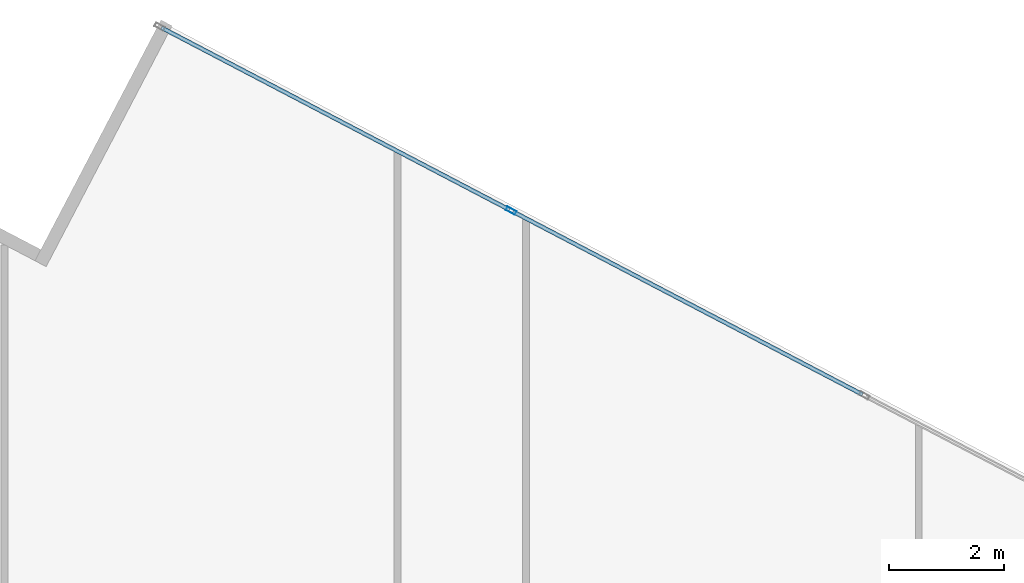
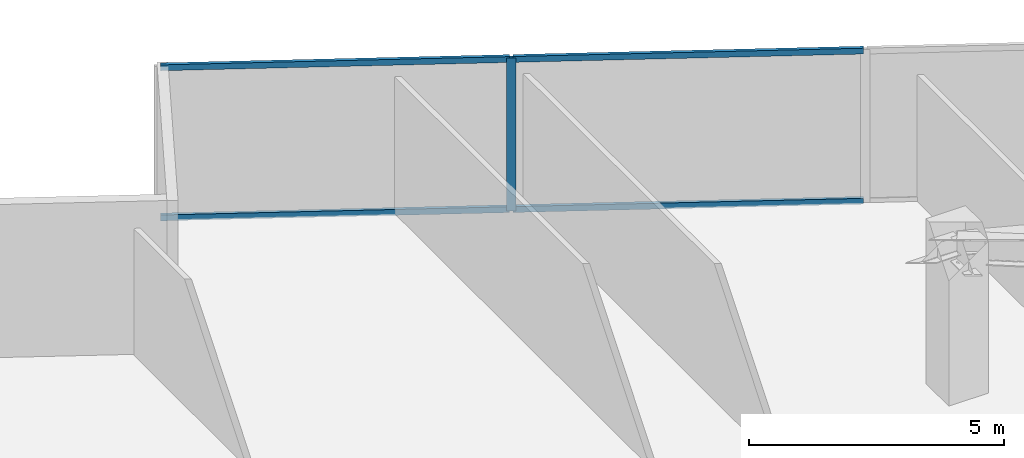
# One storey, part 17 of 27: 5 members, 1 element without a shape of its own.
"""IFC4 building model written with IfcOpenShell, lengths in metres."""

import ifcopenshell
import ifcopenshell.guid

model = None  # the IFC model being written
_history = None  # IfcOwnerHistory: only IFC2X3 demands one
_inside = {}  # id of a spatial element -> (the spatial element, [elements in it])
_under = {}  # id of a project, library or spatial element -> (it, [spatial elements below it])
_declared = {}  # id of a project -> (the project, [libraries it declares])
_typed = {}  # id of a type object -> (the type object, [elements of that type])
_made_of = {}  # id of a material, layer set ... -> (it, [elements and type objects made of it])


def new_model(schema):
    """Start an empty IFC model of exactly this schema.

    Asked for "IFC4X3", IfcOpenShell would pick the latest addendum, in which some entities
    have other attributes; the version numbers below select the first issue.
    IFC2X3 requires an IfcOwnerHistory on every rooted entity: one is made here for all.
    """
    global model, _history
    if schema == "IFC4X3":
        model = ifcopenshell.file(schema_version=(4, 3, 0, 0))
    else:
        model = ifcopenshell.file(schema=schema)
    _inside.clear()
    _under.clear()
    _declared.clear()
    _typed.clear()
    _made_of.clear()
    _history = None
    if model.schema == "IFC2X3":
        org = make("IfcOrganization", Name="unknown")
        user = make(
            "IfcPersonAndOrganization",
            ThePerson=make("IfcPerson", FamilyName="unknown"),
            TheOrganization=org,
        )
        app = make(
            "IfcApplication",
            ApplicationDeveloper=org,
            Version="unknown",
            ApplicationFullName="unknown",
            ApplicationIdentifier="unknown",
        )
        _history = make(
            "IfcOwnerHistory",
            OwningUser=user,
            OwningApplication=app,
            ChangeAction="ADDED",
            CreationDate=0,
        )
    return model


def make(cls, **values):
    """One entity of the class cls with the attributes given. An attribute that is None is left unset."""
    return model.create_entity(
        cls, **{name: value for name, value in values.items() if value is not None}
    )


def rooted(cls, **values):
    """An entity with a GlobalId (a new one), such as an element, a storey or a relation."""
    return make(cls, GlobalId=ifcopenshell.guid.new(), OwnerHistory=_history, **values)


def si_unit(unit_type, name, prefix=None):
    """IfcSIUnit, for example si_unit("LENGTHUNIT", "METRE", prefix="MILLI")."""
    return make("IfcSIUnit", UnitType=unit_type, Prefix=prefix, Name=name)


def assignment(units):
    """IfcUnitAssignment: the units of a project."""
    return None if units is None else make("IfcUnitAssignment", Units=units)


def point(xyz):
    """IfcCartesianPoint."""
    return None if xyz is None else make("IfcCartesianPoint", Coordinates=xyz)


def direction(xyz):
    """IfcDirection."""
    return None if xyz is None else make("IfcDirection", DirectionRatios=xyz)


def frame(location, z_axis=None, x_axis=None):
    """IfcAxis2Placement3D, a coordinate frame: its origin and axes. An axis left out is left unset."""
    return make(
        "IfcAxis2Placement3D",
        Location=point(location),
        Axis=direction(z_axis),
        RefDirection=direction(x_axis),
    )


def frame_2d(location, x_axis=None):
    """IfcAxis2Placement2D, a coordinate frame in the plane: its origin and x axis."""
    return make(
        "IfcAxis2Placement2D", Location=point(location), RefDirection=direction(x_axis)
    )


def origin():
    """The frame at (0, 0, 0) with its axes left unset."""
    return frame((0.0, 0.0, 0.0))


def origin_2d():
    """The frame at (0, 0) in the plane with its x axis left unset."""
    return frame_2d((0.0, 0.0))


def place(relative_to, where):
    """IfcLocalPlacement: puts the frame where relative to a parent placement (None: the world)."""
    return make(
        "IfcLocalPlacement", PlacementRelTo=relative_to, RelativePlacement=where
    )


def context(
    kind, dimensions, precision=None, world=None, true_north=None, identifier=None
):
    """IfcGeometricRepresentationContext, for example the 3D "Model" context."""
    return make(
        "IfcGeometricRepresentationContext",
        ContextIdentifier=identifier,
        ContextType=kind,
        CoordinateSpaceDimension=dimensions,
        Precision=precision,
        WorldCoordinateSystem=world,
        TrueNorth=true_north,
    )


def subcontext(parent, identifier, kind, view, scale=None):
    """IfcGeometricRepresentationSubContext, for example "Body" below "Model"."""
    return make(
        "IfcGeometricRepresentationSubContext",
        ContextIdentifier=identifier,
        ContextType=kind,
        ParentContext=parent,
        TargetScale=scale,
        TargetView=view,
    )


def project(units=None, contexts=None):
    """IfcProject with its units and contexts."""
    return rooted(
        "IfcProject",
        Name="project",
        RepresentationContexts=contexts,
        UnitsInContext=assignment(units),
    )


def spatial(cls, under=None, at=None, **own):
    """A site, building, storey or space (cls), placed at a placement, below another one or the project."""
    s = rooted(cls, ObjectPlacement=at, **own)
    if under is not None:
        _under.setdefault(under.id(), (under, []))[1].append(s)
    return s


def profile(cls, at=None, kind="AREA", **sizes):
    """A parametric profile (cls). Its sizes go by their IFC names, for example OverallWidth=200.0."""
    return make(cls, ProfileType=kind, Position=at, **sizes)


def hollow_rectangle(**sizes):
    """IfcRectangleHollowProfileDef."""
    return profile("IfcRectangleHollowProfileDef", **sizes)


def extrude(swept, where, along, depth):
    """IfcExtrudedAreaSolid: the profile swept, set in the frame where, extruded along a direction by depth."""
    return make(
        "IfcExtrudedAreaSolid",
        SweptArea=swept,
        Position=where,
        ExtrudedDirection=direction(along),
        Depth=depth,
    )


def shape(context_of_items, identifier, shape_type, items):
    """IfcShapeRepresentation: the items that make up one representation, for example the "Body"."""
    return make(
        "IfcShapeRepresentation",
        ContextOfItems=context_of_items,
        RepresentationIdentifier=identifier,
        RepresentationType=shape_type,
        Items=items,
    )


def source(mapping_origin, context_of_items, identifier, shape_type, items):
    """IfcRepresentationMap: a shape defined once, which mapped items show again and again."""
    return make(
        "IfcRepresentationMap",
        MappingOrigin=mapping_origin,
        MappedRepresentation=shape(context_of_items, identifier, shape_type, items),
    )


def transform(
    local_origin,
    x_axis=None,
    y_axis=None,
    z_axis=None,
    scale=None,
    scale2=None,
    scale3=None,
    uniform=True,
):
    """IfcCartesianTransformationOperator3D, or its non-uniform kind. x_axis, y_axis, z_axis: its Axis1, 2, 3."""
    if uniform:
        return make(
            "IfcCartesianTransformationOperator3D",
            Axis1=direction(x_axis),
            Axis2=direction(y_axis),
            LocalOrigin=point(local_origin),
            Scale=scale,
            Axis3=direction(z_axis),
        )
    return make(
        "IfcCartesianTransformationOperator3DnonUniform",
        Axis1=direction(x_axis),
        Axis2=direction(y_axis),
        LocalOrigin=point(local_origin),
        Scale=scale,
        Axis3=direction(z_axis),
        Scale2=scale2,
        Scale3=scale3,
    )


def mapped(mapping_source, mapping_target):
    """IfcMappedItem: shows the shape of a source again, moved by a transform."""
    return make(
        "IfcMappedItem", MappingSource=mapping_source, MappingTarget=mapping_target
    )


def material(Name=None, Category=None):
    """IfcMaterial."""
    return make("IfcMaterial", Name=Name, Category=Category)


def material_profile(
    of_material, cross_section, Name=None, Category=None, Priority=None
):
    """IfcMaterialProfile: a cross section and its material."""
    return make(
        "IfcMaterialProfile",
        Name=Name,
        Material=of_material,
        Profile=cross_section,
        Priority=Priority,
        Category=Category,
    )


def profile_set(profiles, Name=None, composite=None):
    """IfcMaterialProfileSet."""
    return make(
        "IfcMaterialProfileSet",
        Name=Name,
        MaterialProfiles=profiles,
        CompositeProfile=composite,
    )


def made_of(thing, what):
    """Note that an element or type object is made of a material, layer set ...; save() writes the relation."""
    if what is not None:
        _made_of.setdefault(what.id(), (what, []))[1].append(thing)
    return thing


def type_object(cls, material=None, **own):
    """A type object (cls), such as IfcWallType, which elements share."""
    return made_of(rooted(cls, **own), material)


def type_shapes(of_type, sources):
    """Give a type object the sources (RepresentationMaps) that its elements show as mapped items."""
    of_type.RepresentationMaps = sources


def element(
    cls,
    number,
    at=None,
    inside=None,
    cuts=None,
    type_object=None,
    material=None,
    context=None,
    identifier="Body",
    shape_type=None,
    held_by="IfcProductDefinitionShape",
    body=None,
    shapes=None,
    **own,
):
    """One element of the class cls, such as IfcWall. Its Tag is "e" and its number.

    at: its placement. inside: the storey or other place that contains it. cuts: it is an
    opening in that element (IfcRelVoidsElement). A single representation is given by context,
    identifier, shape_type and body (its items); several are given by shapes. held_by: the class
    of the entity that holds the representations. save() writes the other relations.
    """
    e = rooted(cls, Tag="e%d" % number, ObjectPlacement=at, **own)
    if body is not None:
        shapes = [shape(context, identifier, shape_type, body)]
    if shapes is not None:
        e.Representation = make(held_by, Representations=shapes)
    if inside is not None:
        _inside.setdefault(inside.id(), (inside, []))[1].append(e)
    if cuts is not None:
        rooted(
            "IfcRelVoidsElement", RelatingBuildingElement=cuts, RelatedOpeningElement=e
        )
    if type_object is not None:
        _typed.setdefault(type_object.id(), (type_object, []))[1].append(e)
    return made_of(e, material)


def aggregate(whole, parts):
    """IfcRelAggregates: a whole, such as a stair, and the parts it consists of."""
    return rooted("IfcRelAggregates", RelatingObject=whole, RelatedObjects=parts)


def save(model, path):
    """Write the relations noted so far, then the file.

    IfcRelAggregates (storeys below a building ...), IfcRelContainedInSpatialStructure (elements
    in a storey), IfcRelDefinesByType, IfcRelAssociatesMaterial and IfcRelDeclares: one each for
    every whole, place, type object, material and project.
    """
    for whole, parts in _under.values():
        aggregate(whole, parts)
    for where, things in _inside.values():
        rooted(
            "IfcRelContainedInSpatialStructure",
            RelatedElements=things,
            RelatingStructure=where,
        )
    for kind, things in _typed.values():
        rooted("IfcRelDefinesByType", RelatedObjects=things, RelatingType=kind)
    for what, things in _made_of.values():
        rooted("IfcRelAssociatesMaterial", RelatedObjects=things, RelatingMaterial=what)
    for by, libraries in _declared.values():
        rooted("IfcRelDeclares", RelatingContext=by, RelatedDefinitions=libraries)
    model.write(path)


model = new_model("IFC4")

# Units and contexts
model_context = context("Model", 3, precision=1e-05, world=origin(), true_north=direction((0.0, 1.0)))
body_context = subcontext(model_context, "Body", "Model", "MODEL_VIEW")
ifc_project = project(units=[si_unit("LENGTHUNIT", "METRE"), si_unit("AREAUNIT", "SQUARE_METRE"), si_unit("VOLUMEUNIT", "CUBIC_METRE"), si_unit("PLANEANGLEUNIT", "RADIAN"), si_unit("MASSUNIT", "GRAM", prefix="KILO")], contexts=[model_context])

# Site, building, storey
site_placement = place(None, origin())
site = spatial("IfcSite", under=ifc_project, at=site_placement, CompositionType="ELEMENT")
building_placement = place(site_placement, origin())
building = spatial("IfcBuilding", under=site, at=building_placement, Name="Krantzveldt Concourse Tower", CompositionType="ELEMENT")
storey_placement = place(building_placement, frame((0.0, 0.0, 158.050048828125)))
storey = spatial("IfcBuildingStorey", under=building, at=storey_placement, Name="L38", CompositionType="ELEMENT", Elevation=158.050048828125)

# Curtain wall, members
ifc_material = material(Name="Anodised aluminium 6063-T6", Category="aluminium")
curtain_wall_type = type_object("IfcCurtainWallType", Name="CW3", PredefinedType="USERDEFINED", material=ifc_material)
curtain_wall_placement = place(storey_placement, origin())
curtain_wall = element("IfcCurtainWall", 1, at=curtain_wall_placement, inside=storey, type_object=curtain_wall_type, Name="CW-L38-F10", ObjectType="UNITISED CURTAIN WALL", PredefinedType="USERDEFINED")
ifc_material_profile_1 = material_profile(ifc_material, hollow_rectangle(XDim=0.070068359375, YDim=0.179931640625, WallThickness=0.0048828125, at=origin_2d()), Name="Anodised aluminium 6063-T6", Category="aluminium")
ifc_profile_set_1 = profile_set([ifc_material_profile_1], Name="Anodised aluminium 6063-T6 - ALU-MULL 180x70x5")
member_type_1 = type_object("IfcMemberType", Name="CW-MUL-180", PredefinedType="MULLION", material=ifc_profile_set_1)
shared_shape_1 = source(origin(), body_context, "Body", "SweptSolid", [
    extrude(hollow_rectangle(XDim=0.070068359375, YDim=0.179931640625, WallThickness=0.0048828125, at=origin_2d()), origin(), (0.0, 0.0, 1.0), 3.669921875),
])
type_shapes(member_type_1, [shared_shape_1])
member_1_placement = place(storey_placement, frame((36.863037109375, 50.864501953125, 0.0), z_axis=(0.0, 0.0, 1.0), x_axis=(-0.463682819502, -0.886001265743, 0.0)))
member_1 = element("IfcMember", 2, at=member_1_placement, type_object=member_type_1, Name="CW-Z34 mullion 5", PredefinedType="MULLION", context=body_context, shape_type="MappedRepresentation", body=[
    mapped(shared_shape_1, transform((0.0, 0.0, 0.0), x_axis=(1.0, 0.0, 0.0), y_axis=(0.0, 1.0, 0.0), z_axis=(0.0, 0.0, 1.0), scale=1.0)),
])
ifc_material_profile_2 = material_profile(ifc_material, hollow_rectangle(XDim=0.070068359375, YDim=0.139892578125, WallThickness=0.0048828125, at=origin_2d()), Name="Anodised aluminium 6063-T6", Category="aluminium")
ifc_profile_set_2 = profile_set([ifc_material_profile_2], Name="Anodised aluminium 6063-T6 - ALU-TRAN 140x70x5")
member_type_2 = type_object("IfcMemberType", Name="CW-TRN-150", PredefinedType="USERDEFINED", material=ifc_profile_set_2)
shared_shape_2 = source(origin(), body_context, "Body", "SweptSolid", [
    extrude(hollow_rectangle(XDim=0.070068359375, YDim=0.139892578125, WallThickness=0.0048828125, at=origin_2d()), origin(), (0.0, 0.0, 1.0), 6.85498046875),
])
member_2_placement = place(storey_placement, frame((36.83203125, 50.880859375, 0.034912109375), z_axis=(-0.886004354252, 0.463676917957, 0.0), x_axis=(-0.463676917957, -0.886004354252, 0.0)))
member_2 = element("IfcMember", 3, at=member_2_placement, type_object=member_type_2, Name="CW-Z34 transom 5.1", ObjectType="TRANSOM", PredefinedType="USERDEFINED", context=body_context, shape_type="MappedRepresentation", body=[
    mapped(shared_shape_2, transform((0.0, 0.0, 0.0), x_axis=(1.0, 0.0, 0.0), y_axis=(0.0, 1.0, 0.0), z_axis=(0.0, 0.0, 1.0), scale=1.0)),
])
member_3_placement = place(storey_placement, frame((36.83203125, 50.880859375, 3.635009765625), z_axis=(-0.886004354252, 0.463676917957, 0.0), x_axis=(-0.463676917957, -0.886004354252, 0.0)))
member_3 = element("IfcMember", 4, at=member_3_placement, type_object=member_type_2, Name="CW-Z34 transom 5.2", ObjectType="TRANSOM", PredefinedType="USERDEFINED", context=body_context, shape_type="MappedRepresentation", body=[
    mapped(shared_shape_2, transform((0.0, 0.0, 0.0), x_axis=(1.0, 0.0, 0.0), y_axis=(0.0, 1.0, 0.0), z_axis=(0.0, 0.0, 1.0), scale=1.0)),
])
shared_shape_3 = source(origin(), body_context, "Body", "SweptSolid", [
    extrude(hollow_rectangle(XDim=0.070068359375, YDim=0.139892578125, WallThickness=0.0048828125, at=origin_2d()), origin(), (0.0, 0.0, 1.0), 6.889892578125),
])
type_shapes(member_type_2, [shared_shape_2, shared_shape_3])
member_4_placement = place(storey_placement, frame((42.99853515625, 47.653564453125, 0.034912109375), z_axis=(-0.885996544559, 0.46369184059, 0.0), x_axis=(-0.46369184059, -0.885996544559, 0.0)))
member_4 = element("IfcMember", 5, at=member_4_placement, type_object=member_type_2, Name="CW-Z34 transom 4.1", ObjectType="TRANSOM", PredefinedType="USERDEFINED", context=body_context, shape_type="MappedRepresentation", body=[
    mapped(shared_shape_3, transform((0.0, 0.0, 0.0), x_axis=(1.0, 0.0, 0.0), y_axis=(0.0, 1.0, 0.0), z_axis=(0.0, 0.0, 1.0), scale=1.0)),
])
member_5_placement = place(storey_placement, frame((42.99853515625, 47.653564453125, 3.635009765625), z_axis=(-0.885996544559, 0.46369184059, 0.0), x_axis=(-0.46369184059, -0.885996544559, 0.0)))
member_5 = element("IfcMember", 6, at=member_5_placement, type_object=member_type_2, Name="CW-Z34 transom 4.2", ObjectType="TRANSOM", PredefinedType="USERDEFINED", context=body_context, shape_type="MappedRepresentation", body=[
    mapped(shared_shape_3, transform((0.0, 0.0, 0.0), x_axis=(1.0, 0.0, 0.0), y_axis=(0.0, 1.0, 0.0), z_axis=(0.0, 0.0, 1.0), scale=1.0)),
])
aggregate(curtain_wall, [member_1, member_4, member_5, member_2, member_3])

save(model, "model.ifc")
